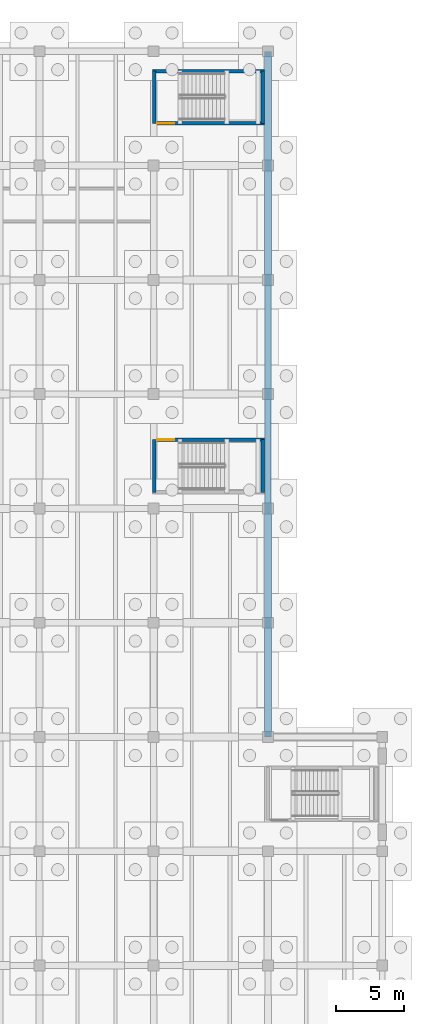
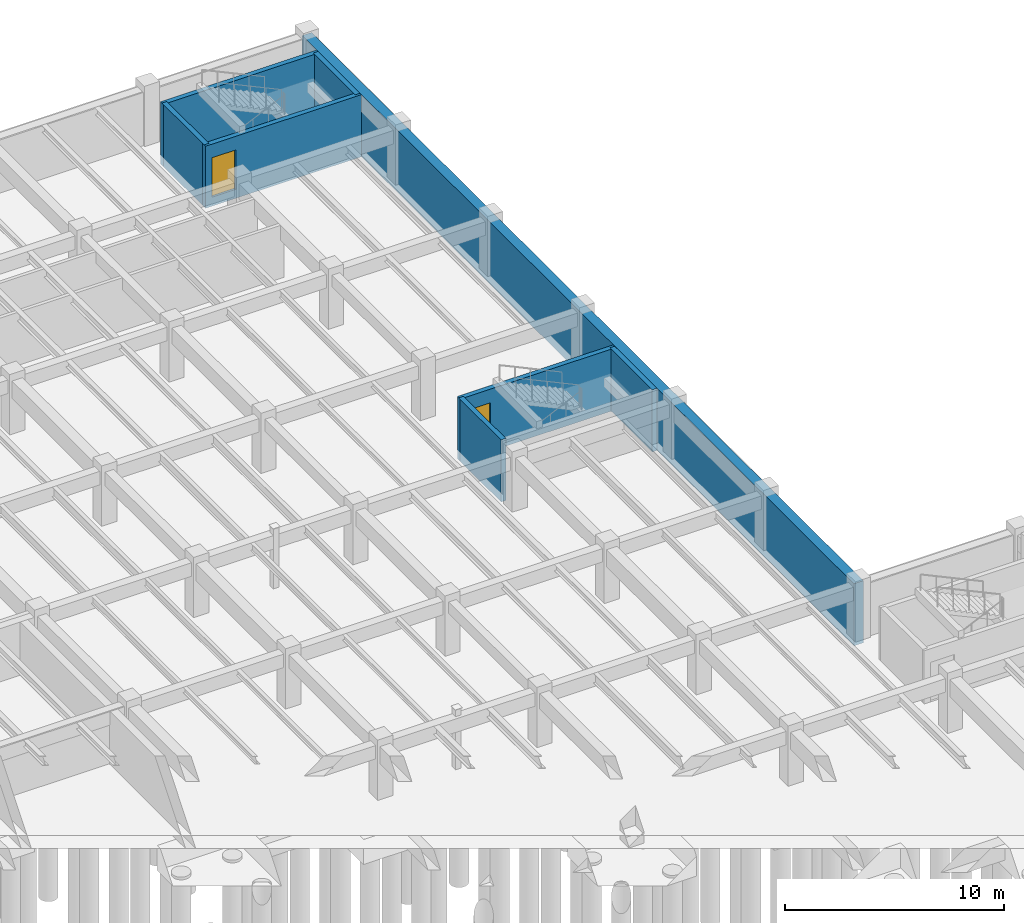
# One storey, part 52 of 70: 8 walls, 2 doors, 2 openings.
"""IFC4 building model written with IfcOpenShell, lengths in metres."""

from ifc_helpers import new_model, si_unit, direction, frame, frame_2d, origin, place, context, subcontext, project, spatial, rectangle, extrude, material, layer, layer_set, type_object, element, fill, save


model = new_model("IFC4")

# Units and contexts
model_context = context("Model", 3, precision=1e-05, world=origin(), true_north=direction((0.0, 1.0)))
body_context = subcontext(model_context, "Body", "Model", "MODEL_VIEW")
ifc_project = project(units=[si_unit("LENGTHUNIT", "METRE"), si_unit("AREAUNIT", "SQUARE_METRE"), si_unit("VOLUMEUNIT", "CUBIC_METRE"), si_unit("PLANEANGLEUNIT", "RADIAN"), si_unit("MASSUNIT", "GRAM", prefix="KILO")], contexts=[model_context])

# Site, building, storey
site_placement = place(None, origin())
site = spatial("IfcSite", under=ifc_project, at=site_placement, CompositionType="ELEMENT")
building_placement = place(site_placement, origin())
building = spatial("IfcBuilding", under=site, at=building_placement, Name="Cumbredor Promenade Congress Hotel", CompositionType="ELEMENT")
storey_placement = place(building_placement, frame((0.0, 0.0, -7.56005859375)))
storey = spatial("IfcBuildingStorey", under=building, at=storey_placement, Name="B02", CompositionType="ELEMENT", Elevation=-7.56005859375)

# Wall
ifc_material_1 = material(Name="Concrete C40/50", Category="concrete")
ifc_layer_1 = layer(ifc_material_1, 0.5, Name="Concrete C40/50", Category="concrete")
ifc_layer_set_1 = layer_set([ifc_layer_1], Name="Concrete C40/50")
wall_type_1 = type_object("IfcWallType", Name="Basement Retaining Wall 500mm", PredefinedType="USERDEFINED", material=ifc_layer_set_1)
wall_1_placement = place(storey_placement, frame((176.39990234375, 67.199951171875, -0.5), z_axis=(0.0, 0.0, 1.0), x_axis=(0.0, 1.0, 0.0)))
element("IfcWall", 1, at=wall_1_placement, inside=storey, type_object=wall_type_1, Name="B02 Basement Retaining Wall RW-B02-04", ObjectType="RETAINING WALL", PredefinedType="USERDEFINED", context=body_context, shape_type="SweptSolid", body=[
    extrude(rectangle(XDim=50.400146484375, YDim=0.5, at=frame_2d((25.2001953125, 0.0))), origin(), (0.0, 0.0, 1.0), 3.4599609375),
])

# Wall, opening, door
ifc_layer_2 = layer(ifc_material_1, 0.2548828125, Name="Concrete C40/50", Category="concrete")
ifc_layer_set_2 = layer_set([ifc_layer_2], Name="Concrete C40/50")
wall_type_2 = type_object("IfcWallType", Name="WL-SHAFT-250", PredefinedType="SOLIDWALL", material=ifc_layer_set_2)
wall_2_placement = place(storey_placement, frame((167.922607421875, 89.050048828125, -0.5), z_axis=(0.0, 0.0, 1.0), x_axis=(1.0, 0.0, 0.0)))
wall_2 = element("IfcWall", 2, at=wall_2_placement, inside=storey, type_object=wall_type_2, Name="STAIR-ST-14-B02 Shaft Wall North", PredefinedType="SOLIDWALL", context=body_context, shape_type="SweptSolid", body=[
    extrude(rectangle(XDim=8.224853515625, YDim=0.2548828125, at=frame_2d((4.1123046875, 0.0))), origin(), (0.0, 0.0, 1.0), 3.4599609375),
])
opening_1_placement = place(wall_2_placement, frame((0.35009765625, 0.0, 0.5)))
opening_1 = element("IfcOpeningElement", 3, at=opening_1_placement, cuts=wall_2, Name="Opening SD-02", PredefinedType="OPENING", context=body_context, shape_type="SweptSolid", body=[
    extrude(rectangle(XDim=1.25, YDim=2.199951171875, at=frame_2d((0.625, 1.10009765625))), frame((0.0, 0.137451171875, 0.0), z_axis=(0.0, -1.0, 0.0), x_axis=(1.0, 0.0, 0.0)), (0.0, 0.0, 1.0), 0.27490234375),
])
ifc_material_2 = material(Name="Painted galvanized steel fire door", Category="steel")
door_type = type_object("IfcDoorType", Name="DR-STAIR-FD90-1250", OperationType="NOTDEFINED", PredefinedType="DOOR", material=ifc_material_2)
door_1_placement = place(opening_1_placement, origin())
door_1 = element("IfcDoor", 4, at=door_1_placement, inside=storey, type_object=door_type, Name="B02 Protected Exit Stair ST-14 Door", OperationType="SINGLE_SWING_RIGHT", OverallHeight=2.199951171875, OverallWidth=1.25, PredefinedType="DOOR", context=body_context, shape_type="SweptSolid", body=[
    extrude(rectangle(XDim=1.25, YDim=2.199951171875, at=frame_2d((0.625, 1.10009765625))), frame((0.0, 0.02490234375, 0.0), z_axis=(0.0, -1.0, 0.0), x_axis=(1.0, 0.0, 0.0)), (0.0, 0.0, 1.0), 0.050048828125),
])
fill(opening_1, door_1)

# Walls
for number, where, z_axis, x_axis, name in (
    (5, (168.050048828125, 85.179931640625, -0.5), (0.0, 0.0, 1.0), (0.0, 1.0, 0.0), "STAIR-ST-14-B02 Shaft Wall West"),
    (6, (176.02001953125, 85.179931640625, -0.5), (0.0, 0.0, 1.0), (0.0, 1.0, 0.0), "STAIR-ST-14-B02 Shaft Wall East"),
):
    element("IfcWall", number, at=place(storey_placement, frame(where, z_axis=z_axis, x_axis=x_axis)), inside=storey, type_object=wall_type_2, Name=name, PredefinedType="SOLIDWALL", context=body_context, shape_type="SweptSolid", body=[
        extrude(rectangle(XDim=3.8701171875, YDim=0.2548828125, at=frame_2d((1.93505859375, 0.0))), origin(), (0.0, 0.0, 1.0), 3.4599609375),
    ])

# Wall, opening, door
wall_3_placement = place(storey_placement, frame((167.922607421875, 112.300048828125, -0.5), z_axis=(0.0, 0.0, 1.0), x_axis=(1.0, 0.0, 0.0)))
wall_3 = element("IfcWall", 7, at=wall_3_placement, inside=storey, type_object=wall_type_2, Name="STAIR-ST-16-B02 Shaft Wall South", PredefinedType="SOLIDWALL", context=body_context, shape_type="SweptSolid", body=[
    extrude(rectangle(XDim=8.224853515625, YDim=0.2548828125, at=frame_2d((4.1123046875, 0.0))), origin(), (0.0, 0.0, 1.0), 3.4599609375),
])
opening_2_placement = place(wall_3_placement, frame((0.35009765625, 0.0, 0.5)))
opening_2 = element("IfcOpeningElement", 8, at=opening_2_placement, cuts=wall_3, Name="Opening SD-02", PredefinedType="OPENING", context=body_context, shape_type="SweptSolid", body=[
    extrude(rectangle(XDim=1.25, YDim=2.199951171875, at=frame_2d((0.625, 1.10009765625))), frame((0.0, 0.137451171875, 0.0), z_axis=(0.0, -1.0, 0.0), x_axis=(1.0, 0.0, 0.0)), (0.0, 0.0, 1.0), 0.27490234375),
])
door_2_placement = place(opening_2_placement, origin())
door_2 = element("IfcDoor", 9, at=door_2_placement, inside=storey, type_object=door_type, Name="B02 Protected Exit Stair ST-16 Door", OperationType="SINGLE_SWING_RIGHT", OverallHeight=2.199951171875, OverallWidth=1.25, PredefinedType="DOOR", context=body_context, shape_type="SweptSolid", body=[
    extrude(rectangle(XDim=1.25, YDim=2.199951171875, at=frame_2d((0.625, 1.10009765625))), frame((0.0, 0.02490234375, 0.0), z_axis=(0.0, -1.0, 0.0), x_axis=(1.0, 0.0, 0.0)), (0.0, 0.0, 1.0), 0.050048828125),
])
fill(opening_2, door_2)

# Walls
wall_4_placement = place(storey_placement, frame((167.922607421875, 116.14990234375, -0.5), z_axis=(0.0, 0.0, 1.0), x_axis=(1.0, 0.0, 0.0)))
element("IfcWall", 10, at=wall_4_placement, inside=storey, type_object=wall_type_2, Name="STAIR-ST-16-B02 Shaft Wall North", PredefinedType="SOLIDWALL", context=body_context, shape_type="SweptSolid", body=[
    extrude(rectangle(XDim=8.224853515625, YDim=0.2548828125, at=frame_2d((4.1123046875, 0.0))), origin(), (0.0, 0.0, 1.0), 3.4599609375),
])
for number, where, z_axis, x_axis, name in (
    (11, (168.050048828125, 112.300048828125, -0.5), (0.0, 0.0, 1.0), (0.0, 1.0, 0.0), "STAIR-ST-16-B02 Shaft Wall West"),
    (12, (176.02001953125, 112.300048828125, -0.5), (0.0, 0.0, 1.0), (0.0, 1.0, 0.0), "STAIR-ST-16-B02 Shaft Wall East"),
):
    element("IfcWall", number, at=place(storey_placement, frame(where, z_axis=z_axis, x_axis=x_axis)), inside=storey, type_object=wall_type_2, Name=name, PredefinedType="SOLIDWALL", context=body_context, shape_type="SweptSolid", body=[
        extrude(rectangle(XDim=3.849853515625, YDim=0.2548828125, at=frame_2d((1.9248046875, 0.0))), origin(), (0.0, 0.0, 1.0), 3.4599609375),
    ])

save(model, "model.ifc")
